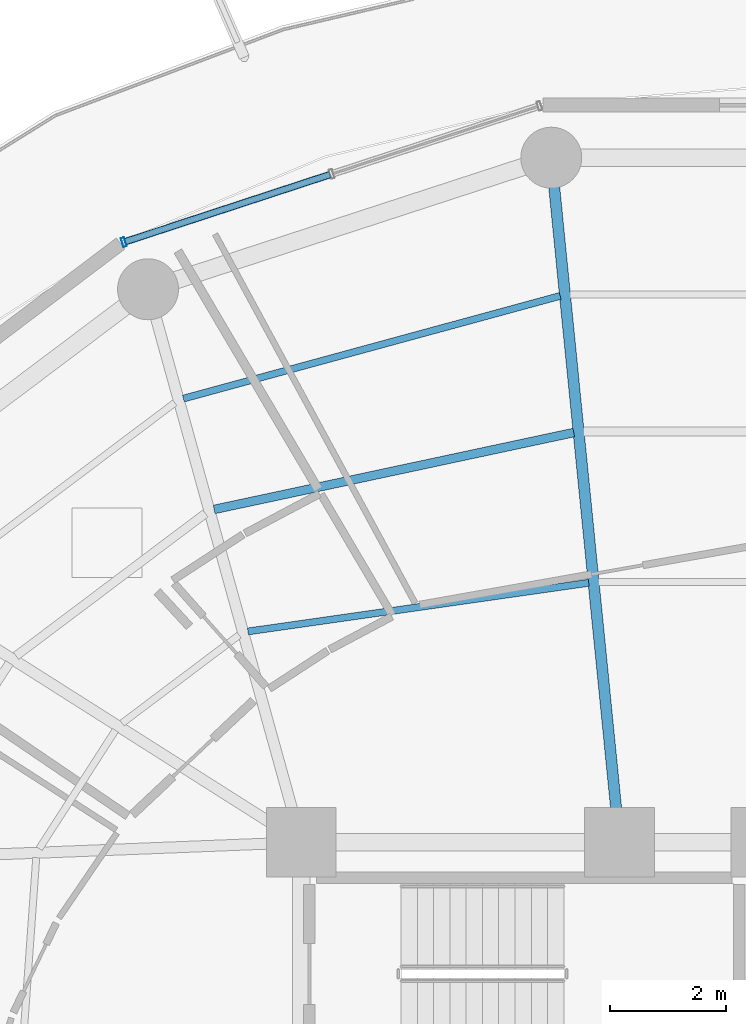
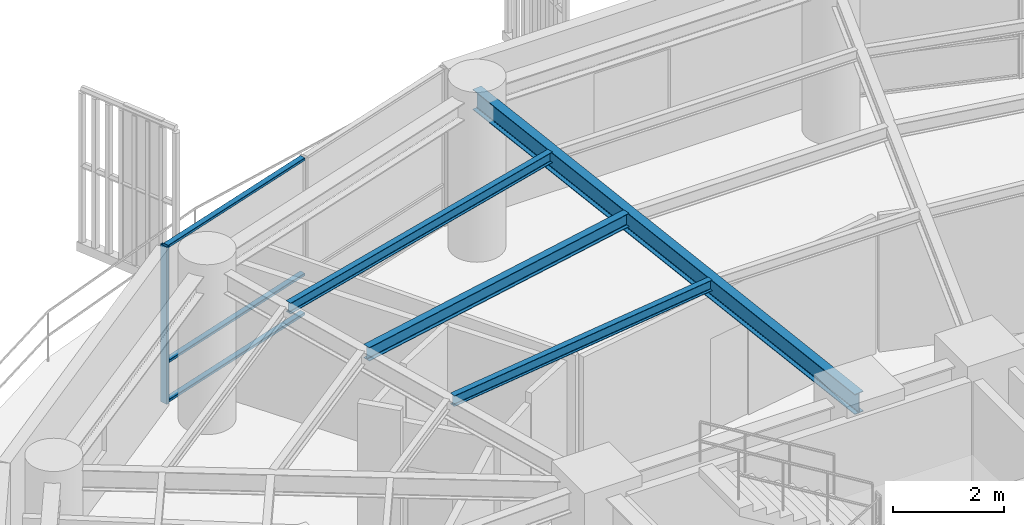
# One storey, part 18 of 31: 4 beams, 4 members, 1 element without a shape of its own.
"""IFC4 building model written with IfcOpenShell, lengths in metres."""

from ifc_helpers import new_model, si_unit, direction, frame, origin, origin_2d, place, context, subcontext, project, spatial, hollow_rectangle, i_section, extrude, material, layer, layer_set, material_profile, profile_set, type_object, element, aggregate, save


model = new_model("IFC4")

# Units and contexts
model_context = context("Model", 3, precision=1e-05, world=origin(), true_north=direction((0.0, 1.0)))
body_context = subcontext(model_context, "Body", "Model", "MODEL_VIEW")
ifc_project = project(units=[si_unit("LENGTHUNIT", "METRE"), si_unit("AREAUNIT", "SQUARE_METRE"), si_unit("VOLUMEUNIT", "CUBIC_METRE"), si_unit("PLANEANGLEUNIT", "RADIAN"), si_unit("MASSUNIT", "GRAM", prefix="KILO")], contexts=[model_context])

# Site, building, storey
site_placement = place(None, origin())
site = spatial("IfcSite", under=ifc_project, at=site_placement, CompositionType="ELEMENT")
building_placement = place(site_placement, origin())
building = spatial("IfcBuilding", under=site, at=building_placement, Name="Kelanora Arch Commons", CompositionType="ELEMENT")
storey_placement = place(building_placement, frame((0.0, 0.0, 193.199951171875)))
storey = spatial("IfcBuildingStorey", under=building, at=storey_placement, Name="L49", CompositionType="ELEMENT", Elevation=193.199951171875)

# Beams
ifc_material_1 = material(Name="Steel S355", Category="steel")
ifc_material_profile_1 = material_profile(ifc_material_1, i_section(OverallWidth=0.14990234375, OverallDepth=0.300048828125, WebThickness=0.007080078125, FlangeThickness=0.0107421875, FilletRadius=0.014892578125, at=origin_2d()), Name="IPE300")
ifc_profile_set_1 = profile_set([ifc_material_profile_1], Name="Steel S355")
beam_type_1 = type_object("IfcBeamType", Name="BM-JST-01", PredefinedType="JOIST", material=ifc_profile_set_1)
beam_1_placement = place(storey_placement, frame((70.69189453125, 72.056396484375, 3.340087890625), z_axis=(-0.977893715981, -0.209102559153, 0.0), x_axis=(0.209102559153, -0.977893715981, 0.0)))
element("IfcBeam", 1, at=beam_1_placement, inside=storey, type_object=beam_type_1, Name="Secondary Chord Joist BJB-10 L49", PredefinedType="JOIST", context=body_context, shape_type="SweptSolid", body=[
    extrude(i_section(OverallWidth=0.14990234375, OverallDepth=0.300048828125, WebThickness=0.007080078125, FlangeThickness=0.0107421875, FilletRadius=0.014892578125, at=origin_2d()), origin(), (0.0, 0.0, 1.0), 6.332763671875),
])
ifc_material_profile_2 = material_profile(ifc_material_1, i_section(OverallWidth=0.1201171875, OverallDepth=0.239990234375, WebThickness=0.006103515625, FlangeThickness=0.009765625, FilletRadius=0.014892578125, at=origin_2d()), Name="IPE240")
ifc_profile_set_2 = profile_set([ifc_material_profile_2], Name="Steel S355")
beam_type_2 = type_object("IfcBeamType", Name="BM-JST-02", PredefinedType="JOIST", material=ifc_profile_set_2)
beam_2_placement = place(storey_placement, frame((70.94921875, 69.46826171875, 3.3701171875), z_axis=(-0.989977480435, -0.141225310164, 0.0), x_axis=(0.141225310164, -0.989977480435, 0.0)))
element("IfcBeam", 2, at=beam_2_placement, inside=storey, type_object=beam_type_2, Name="Secondary Chord Joist BJA-10 L49", PredefinedType="JOIST", context=body_context, shape_type="SweptSolid", body=[
    extrude(i_section(OverallWidth=0.1201171875, OverallDepth=0.239990234375, WebThickness=0.006103515625, FlangeThickness=0.009765625, FilletRadius=0.014892578125, at=origin_2d()), origin(), (0.0, 0.0, 1.0), 5.927734375),
])
beam_3_placement = place(storey_placement, frame((70.457763671875, 74.40966796875, 3.3701171875), z_axis=(-0.964804863594, -0.262966870889, 0.0), x_axis=(0.262966870889, -0.964804863594, 0.0)))
element("IfcBeam", 3, at=beam_3_placement, inside=storey, type_object=beam_type_2, Name="Secondary Chord Joist BJC-10 L49", PredefinedType="JOIST", context=body_context, shape_type="SweptSolid", body=[
    extrude(i_section(OverallWidth=0.1201171875, OverallDepth=0.239990234375, WebThickness=0.006103515625, FlangeThickness=0.009765625, FilletRadius=0.014892578125, at=origin_2d()), origin(), (0.0, 0.0, 1.0), 6.724365234375),
])
ifc_material_profile_3 = material_profile(ifc_material_1, i_section(OverallWidth=0.18994140625, OverallDepth=0.449951171875, WebThickness=0.009521484375, FlangeThickness=0.0146484375, FilletRadius=0.02099609375, at=origin_2d()), Name="IPE450")
ifc_profile_set_3 = profile_set([ifc_material_profile_3], Name="Steel S355")
beam_type_3 = type_object("IfcBeamType", Name="BM-RAD-Z4", PredefinedType="BEAM", material=ifc_profile_set_3)
beam_4_placement = place(storey_placement, frame((71.47998046875, 65.0, 3.26513671875), z_axis=(-0.099193615558, 0.995068151753, 0.0), x_axis=(-0.995068151753, -0.099193615558, 0.0)))
element("IfcBeam", 4, at=beam_4_placement, inside=storey, type_object=beam_type_3, Name="Radial Floor Girder BR-10 L49", PredefinedType="BEAM", context=body_context, shape_type="SweptSolid", body=[
    extrude(i_section(OverallWidth=0.18994140625, OverallDepth=0.449951171875, WebThickness=0.009521484375, FlangeThickness=0.0146484375, FilletRadius=0.02099609375, at=origin_2d()), origin(), (0.0, 0.0, 1.0), 11.848388671875),
])

# Curtain wall, members
ifc_material_2 = material(Name="Terracotta ceramic-fritted low-E glass and aluminium", Category="masonry")
ifc_layer = layer(ifc_material_2, 0.175048828125)
ifc_layer_set = layer_set([ifc_layer], Name="Terracotta ceramic-fritted low-E glass and aluminium")
curtain_wall_type = type_object("IfcCurtainWallType", Name="CW-SYS-02", PredefinedType="NOTDEFINED", material=ifc_layer_set)
curtain_wall_placement = place(storey_placement, origin())
curtain_wall = element("IfcCurtainWall", 5, at=curtain_wall_placement, inside=storey, type_object=curtain_wall_type, Name="Unitised Curtain Wall L49-B05", PredefinedType="NOTDEFINED")
ifc_material_3 = material(Name="Powder-coated aluminium terracotta", Category="masonry")
ifc_material_profile_4 = material_profile(ifc_material_3, hollow_rectangle(XDim=0.159912109375, YDim=0.06005859375, WallThickness=0.0048828125, InnerFilletRadius=0.0048828125, OuterFilletRadius=0.010009765625, at=origin_2d()), Name="CWM160x60")
ifc_profile_set_4 = profile_set([ifc_material_profile_4], Name="Powder-coated aluminium terracotta")
member_type_1 = type_object("IfcMemberType", Name="CWM-STD", PredefinedType="MULLION", material=ifc_profile_set_4)
member_1_placement = place(storey_placement, frame((62.94287109375, 75.33447265625, 0.0), z_axis=(0.0, 0.0, 1.0), x_axis=(0.311582439059, -0.950219124029, 0.0)))
member_1 = element("IfcMember", 6, at=member_1_placement, type_object=member_type_1, Name="CW-02 mullion 3", PredefinedType="MULLION", context=body_context, shape_type="SweptSolid", body=[
    extrude(hollow_rectangle(XDim=0.159912109375, YDim=0.06005859375, WallThickness=0.0048828125, InnerFilletRadius=0.0048828125, OuterFilletRadius=0.010009765625, at=origin_2d()), origin(), (0.0, 0.0, 1.0), 3.47509765625),
])
ifc_material_profile_5 = material_profile(ifc_material_3, hollow_rectangle(XDim=0.1201171875, YDim=0.06005859375, WallThickness=0.0048828125, InnerFilletRadius=0.0048828125, OuterFilletRadius=0.010009765625, at=origin_2d()), Name="CWT120x60")
ifc_profile_set_5 = profile_set([ifc_material_profile_5], Name="Powder-coated aluminium terracotta")
member_type_2 = type_object("IfcMemberType", Name="CWT-STD", PredefinedType="USERDEFINED", material=ifc_profile_set_5)
member_2_placement = place(storey_placement, frame((66.493896484375, 76.4990234375, 0.030029296875), z_axis=(-0.950226025222, -0.311561392011, 0.0), x_axis=(0.311561392011, -0.950226025222, 0.0)))
member_2 = element("IfcMember", 7, at=member_2_placement, type_object=member_type_2, Name="CW-02 transom 2.1", ObjectType="TRANSOM", PredefinedType="USERDEFINED", context=body_context, shape_type="SweptSolid", body=[
    extrude(hollow_rectangle(XDim=0.1201171875, YDim=0.06005859375, WallThickness=0.0048828125, InnerFilletRadius=0.0048828125, OuterFilletRadius=0.010009765625, at=origin_2d()), origin(), (0.0, 0.0, 1.0), 3.707275390625),
])
member_3_placement = place(storey_placement, frame((66.493896484375, 76.4990234375, 0.900146484375), z_axis=(-0.950226025222, -0.311561392011, 0.0), x_axis=(0.311561392011, -0.950226025222, 0.0)))
member_3 = element("IfcMember", 8, at=member_3_placement, type_object=member_type_2, Name="CW-02 transom 2.2", ObjectType="TRANSOM", PredefinedType="USERDEFINED", context=body_context, shape_type="SweptSolid", body=[
    extrude(hollow_rectangle(XDim=0.1201171875, YDim=0.06005859375, WallThickness=0.0048828125, InnerFilletRadius=0.0048828125, OuterFilletRadius=0.010009765625, at=origin_2d()), origin(), (0.0, 0.0, 1.0), 3.707275390625),
])
member_4_placement = place(storey_placement, frame((66.493896484375, 76.4990234375, 3.445068359375), z_axis=(-0.950226025222, -0.311561392011, 0.0), x_axis=(0.311561392011, -0.950226025222, 0.0)))
member_4 = element("IfcMember", 9, at=member_4_placement, type_object=member_type_2, Name="CW-02 transom 2.3", ObjectType="TRANSOM", PredefinedType="USERDEFINED", context=body_context, shape_type="SweptSolid", body=[
    extrude(hollow_rectangle(XDim=0.1201171875, YDim=0.06005859375, WallThickness=0.0048828125, InnerFilletRadius=0.0048828125, OuterFilletRadius=0.010009765625, at=origin_2d()), origin(), (0.0, 0.0, 1.0), 3.707275390625),
])
aggregate(curtain_wall, [member_1, member_2, member_3, member_4])

save(model, "model.ifc")
